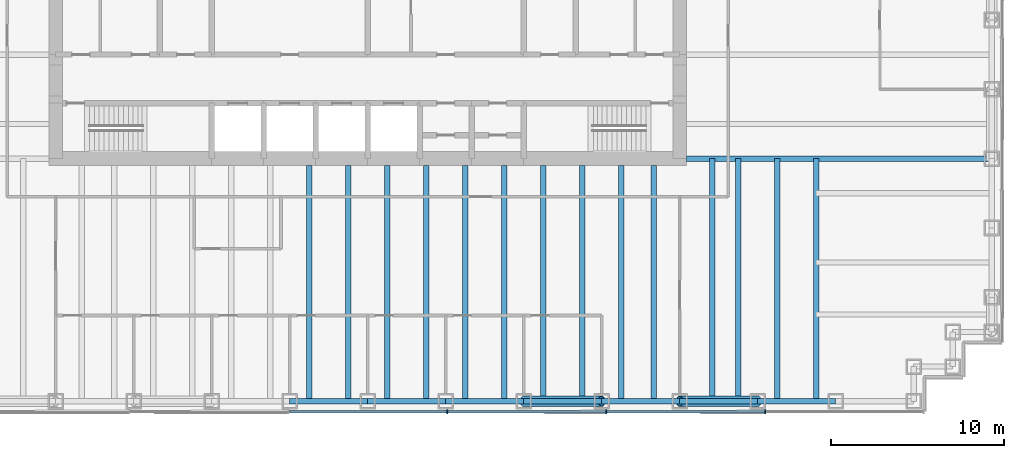
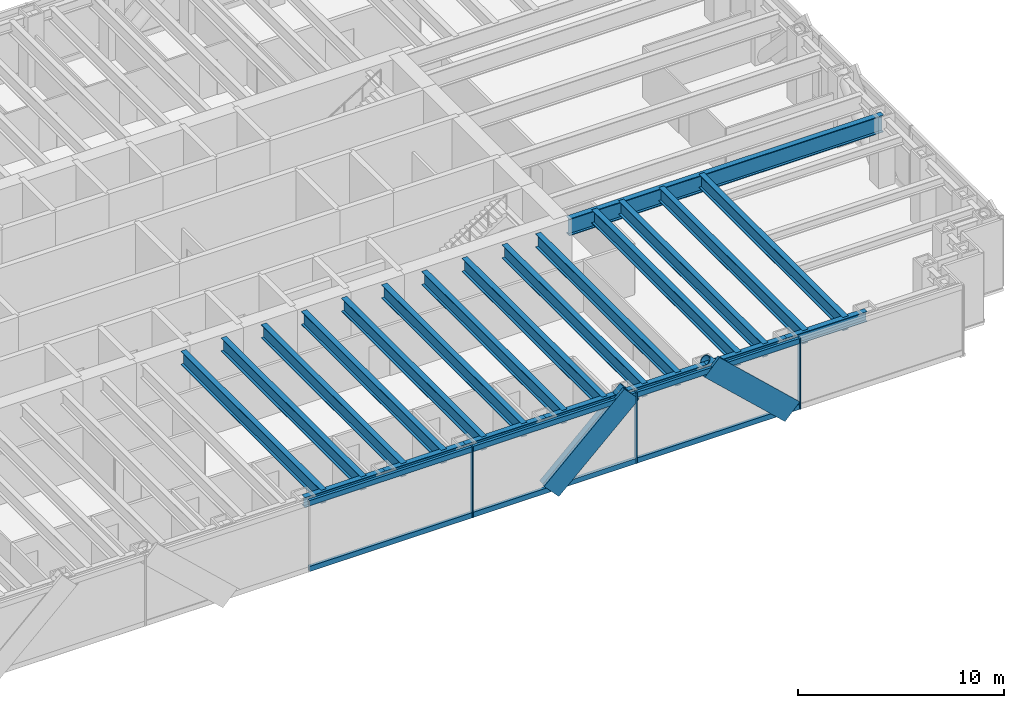
# One storey, part 3 of 14: 22 beams, 13 members, 1 element without a shape of its own.
"""IFC4 building model written with IfcOpenShell, lengths in metres."""

from ifc_helpers import new_model, si_unit, direction, frame, origin, origin_2d, place, context, subcontext, project, spatial, rectangle, hollow_circle, i_section, extrude, material, material_profile, profile_set, type_object, element, aggregate, save


model = new_model("IFC4")

# Units and contexts
model_context = context("Model", 3, precision=1e-05, world=origin(), true_north=direction((0.0, 1.0)))
body_context = subcontext(model_context, "Body", "Model", "MODEL_VIEW")
ifc_project = project(units=[si_unit("LENGTHUNIT", "METRE"), si_unit("AREAUNIT", "SQUARE_METRE"), si_unit("VOLUMEUNIT", "CUBIC_METRE"), si_unit("PLANEANGLEUNIT", "RADIAN"), si_unit("MASSUNIT", "GRAM", prefix="KILO")], contexts=[model_context])

# Site, building, storey
site_placement = place(None, origin())
site = spatial("IfcSite", under=ifc_project, at=site_placement, CompositionType="ELEMENT")
building_placement = place(site_placement, origin())
building = spatial("IfcBuilding", under=site, at=building_placement, Name="Rheinbord Bourse Tower", CompositionType="ELEMENT")
storey_placement = place(building_placement, frame((0.0, 0.0, 194.199951171875)))
storey = spatial("IfcBuildingStorey", under=building, at=storey_placement, Name="L43", CompositionType="ELEMENT", Elevation=194.199951171875)

# Curtain wall, members
ifc_material_1 = material(Name="Dark glass and black aluminium", Category="aluminium")
curtain_wall_type = type_object("IfcCurtainWallType", Name="CW2 DARK GLASS CURTAIN WALL", PredefinedType="USERDEFINED", material=ifc_material_1)
curtain_wall_placement = place(storey_placement, origin())
curtain_wall = element("IfcCurtainWall", 1, at=curtain_wall_placement, inside=storey, type_object=curtain_wall_type, Name="Curtain wall CW2 S L43", ObjectType="UNITISED CURTAIN WALL", PredefinedType="USERDEFINED")
ifc_material_2 = material(Name="Black anodised aluminium", Category="aluminium")
ifc_material_profile_1 = material_profile(ifc_material_2, rectangle(XDim=0.159912109375, YDim=1.2099609375, at=origin_2d()), Name="CW2 DIAGONAL MULLION 1210x160")
ifc_profile_set_1 = profile_set([ifc_material_profile_1], Name="Black anodised aluminium")
member_type_1 = type_object("IfcMemberType", Name="CW2 BLACK DIAGONAL MULLION", PredefinedType="USERDEFINED", material=ifc_profile_set_1)
member_1_placement = place(storey_placement, frame((58.5, 1.39990234375, 0.0), z_axis=(-0.73105922506, 0.0, 0.682314010889), x_axis=(0.0, -1.0, 0.0)))
member_1 = element("IfcMember", 2, at=member_1_placement, type_object=member_type_1, Name="CW2 diagonal mullion a", ObjectType="DIAGONAL MULLION", PredefinedType="USERDEFINED", context=body_context, shape_type="SweptSolid", body=[
    extrude(rectangle(XDim=0.159912109375, YDim=1.2099609375, at=origin_2d()), origin(), (0.0, 0.0, 1.0), 6.155517578125),
])
member_2_placement = place(storey_placement, frame((45.0, 1.39990234375, 0.0), z_axis=(0.73105922506, 0.0, 0.682314010889), x_axis=(0.0, 1.0, 0.0)))
member_2 = element("IfcMember", 3, at=member_2_placement, type_object=member_type_1, Name="CW2 diagonal mullion d", ObjectType="DIAGONAL MULLION", PredefinedType="USERDEFINED", context=body_context, shape_type="SweptSolid", body=[
    extrude(rectangle(XDim=0.159912109375, YDim=1.2099609375, at=origin_2d()), origin(), (0.0, 0.0, 1.0), 6.155517578125),
])
ifc_material_3 = material(Name="Black anodised aluminium", Category="aluminium")
ifc_material_profile_2 = material_profile(ifc_material_3, rectangle(XDim=0.219970703125, YDim=0.070068359375, at=origin_2d()), Name="CW2 MULLION 70x220")
ifc_profile_set_2 = profile_set([ifc_material_profile_2], Name="Black anodised aluminium")
member_type_2 = type_object("IfcMemberType", Name="CW2 BLACK MULLION", PredefinedType="MULLION", material=ifc_profile_set_2)
member_3_placement = place(storey_placement, frame((40.585693359375, 1.39990234375, 0.0), z_axis=(0.0, 0.0, 1.0), x_axis=(0.0, 1.0, 0.0)))
member_3 = element("IfcMember", 4, at=member_3_placement, type_object=member_type_2, Name="CW2 mullion 5", PredefinedType="MULLION", context=body_context, shape_type="SweptSolid", body=[
    extrude(rectangle(XDim=0.219970703125, YDim=0.070068359375, at=origin_2d()), origin(), (0.0, 0.0, 1.0), 4.199951171875),
])
member_4_placement = place(storey_placement, frame((49.757080078125, 1.39990234375, 0.0), z_axis=(0.0, 0.0, 1.0), x_axis=(0.0, 1.0, 0.0)))
member_4 = element("IfcMember", 5, at=member_4_placement, type_object=member_type_2, Name="CW2 mullion 6", PredefinedType="MULLION", context=body_context, shape_type="SweptSolid", body=[
    extrude(rectangle(XDim=0.219970703125, YDim=0.070068359375, at=origin_2d()), origin(), (0.0, 0.0, 1.0), 4.199951171875),
])
member_5_placement = place(storey_placement, frame((58.928466796875, 1.39990234375, 0.0), z_axis=(0.0, 0.0, 1.0), x_axis=(0.0, 1.0, 0.0)))
member_5 = element("IfcMember", 6, at=member_5_placement, type_object=member_type_2, Name="CW2 mullion 7", PredefinedType="MULLION", context=body_context, shape_type="SweptSolid", body=[
    extrude(rectangle(XDim=0.219970703125, YDim=0.070068359375, at=origin_2d()), origin(), (0.0, 0.0, 1.0), 4.199951171875),
])
ifc_material_4 = material(Name="Black anodised aluminium", Category="aluminium")
ifc_material_profile_3 = material_profile(ifc_material_4, rectangle(XDim=0.159912109375, YDim=0.300048828125, at=origin_2d()), Name="CW2 TRANSOM 300x160")
ifc_profile_set_3 = profile_set([ifc_material_profile_3], Name="Black anodised aluminium")
member_type_3 = type_object("IfcMemberType", Name="CW2 BLACK TRANSOM", PredefinedType="USERDEFINED", material=ifc_profile_set_3)
member_6_placement = place(storey_placement, frame((31.44921875, 1.39990234375, 0.150146484375), z_axis=(1.0, 0.0, 0.0), x_axis=(0.0, 1.0, 0.0)))
member_6 = element("IfcMember", 7, at=member_6_placement, type_object=member_type_3, Name="CW2 transom 4.1", ObjectType="TRANSOM", PredefinedType="USERDEFINED", context=body_context, shape_type="SweptSolid", body=[
    extrude(rectangle(XDim=0.159912109375, YDim=0.300048828125, at=origin_2d()), origin(), (0.0, 0.0, 1.0), 9.1015625),
])
member_7_placement = place(storey_placement, frame((31.44921875, 1.39990234375, 4.050048828125), z_axis=(1.0, 0.0, 0.0), x_axis=(0.0, 1.0, 0.0)))
member_7 = element("IfcMember", 8, at=member_7_placement, type_object=member_type_3, Name="CW2 transom 4.2", ObjectType="TRANSOM", PredefinedType="USERDEFINED", context=body_context, shape_type="SweptSolid", body=[
    extrude(rectangle(XDim=0.159912109375, YDim=0.300048828125, at=origin_2d()), origin(), (0.0, 0.0, 1.0), 9.1015625),
])
member_8_placement = place(storey_placement, frame((40.62060546875, 1.39990234375, 0.150146484375), z_axis=(1.0, 0.0, 0.0), x_axis=(0.0, 1.0, 0.0)))
member_8 = element("IfcMember", 9, at=member_8_placement, type_object=member_type_3, Name="CW2 transom 5.1", ObjectType="TRANSOM", PredefinedType="USERDEFINED", context=body_context, shape_type="SweptSolid", body=[
    extrude(rectangle(XDim=0.159912109375, YDim=0.300048828125, at=origin_2d()), origin(), (0.0, 0.0, 1.0), 9.1015625),
])
member_9_placement = place(storey_placement, frame((40.62060546875, 1.39990234375, 4.050048828125), z_axis=(1.0, 0.0, 0.0), x_axis=(0.0, 1.0, 0.0)))
member_9 = element("IfcMember", 10, at=member_9_placement, type_object=member_type_3, Name="CW2 transom 5.2", ObjectType="TRANSOM", PredefinedType="USERDEFINED", context=body_context, shape_type="SweptSolid", body=[
    extrude(rectangle(XDim=0.159912109375, YDim=0.300048828125, at=origin_2d()), origin(), (0.0, 0.0, 1.0), 9.1015625),
])
member_10_placement = place(storey_placement, frame((49.792236328125, 1.39990234375, 0.150146484375), z_axis=(1.0, 0.0, 0.0), x_axis=(0.0, 1.0, 0.0)))
member_10 = element("IfcMember", 11, at=member_10_placement, type_object=member_type_3, Name="CW2 transom 6.1", ObjectType="TRANSOM", PredefinedType="USERDEFINED", context=body_context, shape_type="SweptSolid", body=[
    extrude(rectangle(XDim=0.159912109375, YDim=0.300048828125, at=origin_2d()), origin(), (0.0, 0.0, 1.0), 9.101318359375),
])
member_11_placement = place(storey_placement, frame((49.792236328125, 1.39990234375, 4.050048828125), z_axis=(1.0, 0.0, 0.0), x_axis=(0.0, 1.0, 0.0)))
member_11 = element("IfcMember", 12, at=member_11_placement, type_object=member_type_3, Name="CW2 transom 6.2", ObjectType="TRANSOM", PredefinedType="USERDEFINED", context=body_context, shape_type="SweptSolid", body=[
    extrude(rectangle(XDim=0.159912109375, YDim=0.300048828125, at=origin_2d()), origin(), (0.0, 0.0, 1.0), 9.101318359375),
])
aggregate(curtain_wall, [member_3, member_4, member_5, member_6, member_7, member_8, member_9, member_10, member_11, member_1, member_2])

# Beams
ifc_material_5 = material(Name="Steel S460", Category="steel")
ifc_material_profile_4 = material_profile(ifc_material_5, i_section(OverallWidth=0.300048828125, OverallDepth=0.800048828125, WebThickness=0.017578125, FlangeThickness=0.032958984375, at=origin_2d()), Name="HEB 800")
ifc_profile_set_4 = profile_set([ifc_material_profile_4], Name="Steel S460")
beam_type_1 = type_object("IfcBeamType", Name="FLOOR BEAM HEB 800", PredefinedType="BEAM", material=ifc_profile_set_4)
for number, where, z_axis, x_axis, name in (
    (13, (32.625, 2.0, 3.64013671875), (0.0, 1.0, 0.0), (-1.0, 0.0, 0.0), "Floor beam S-31.5a L44"),
    (14, (34.875, 2.0, 3.64013671875), (0.0, 1.0, 0.0), (-1.0, 0.0, 0.0), "Floor beam S-31.5b L44"),
    (15, (37.125, 2.0, 3.64013671875), (0.0, 1.0, 0.0), (-1.0, 0.0, 0.0), "Floor beam S-36a L44"),
    (16, (39.375, 2.0, 3.64013671875), (0.0, 1.0, 0.0), (-1.0, 0.0, 0.0), "Floor beam S-36b L44"),
    (17, (41.625, 2.0, 3.64013671875), (0.0, 1.0, 0.0), (-1.0, 0.0, 0.0), "Floor beam S-40.5a L44"),
    (18, (43.875, 2.0, 3.64013671875), (0.0, 1.0, 0.0), (-1.0, 0.0, 0.0), "Floor beam S-40.5b L44"),
    (19, (46.125, 2.0, 3.64013671875), (0.0, 1.0, 0.0), (-1.0, 0.0, 0.0), "Floor beam S-45a L44"),
    (20, (48.375, 2.0, 3.64013671875), (0.0, 1.0, 0.0), (-1.0, 0.0, 0.0), "Floor beam S-45b L44"),
    (21, (50.625, 2.0, 3.64013671875), (0.0, 1.0, 0.0), (-1.0, 0.0, 0.0), "Floor beam S-49.5a L44"),
    (22, (52.5, 2.0, 3.64013671875), (0.0, 1.0, 0.0), (-1.0, 0.0, 0.0), "Floor beam S-49.5b L44"),
):
    element("IfcBeam", number, at=place(storey_placement, frame(where, z_axis=z_axis, x_axis=x_axis)), inside=storey, type_object=beam_type_1, Name=name, PredefinedType="BEAM", context=body_context, shape_type="SweptSolid", body=[
        extrude(i_section(OverallWidth=0.300048828125, OverallDepth=0.800048828125, WebThickness=0.017578125, FlangeThickness=0.032958984375, at=origin_2d()), origin(), (0.0, 0.0, 1.0), 13.60009765625),
    ])
for number, where, z_axis, x_axis, name in (
    (23, (55.875, 2.0, 3.64013671875), (0.0, 1.0, 0.0), (-1.0, 0.0, 0.0), "Floor beam S-54a L44"),
    (24, (57.375, 2.0, 3.64013671875), (0.0, 1.0, 0.0), (-1.0, 0.0, 0.0), "Floor beam S-54b L44"),
    (25, (59.625, 2.0, 3.64013671875), (0.0, 1.0, 0.0), (-1.0, 0.0, 0.0), "Floor beam S-58.5a L44"),
    (26, (61.875, 2.0, 3.64013671875), (0.0, 1.0, 0.0), (-1.0, 0.0, 0.0), "Floor beam S-58.5b L44"),
):
    element("IfcBeam", number, at=place(storey_placement, frame(where, z_axis=z_axis, x_axis=x_axis)), inside=storey, type_object=beam_type_1, Name=name, PredefinedType="BEAM", context=body_context, shape_type="SweptSolid", body=[
        extrude(i_section(OverallWidth=0.300048828125, OverallDepth=0.800048828125, WebThickness=0.017578125, FlangeThickness=0.032958984375, at=origin_2d()), origin(), (0.0, 0.0, 1.0), 14.0),
    ])
ifc_material_6 = material(Name="Steel S460", Category="steel")
ifc_material_profile_5 = material_profile(ifc_material_6, i_section(OverallWidth=0.302001953125, OverallDepth=1.008056640625, WebThickness=0.02099609375, FlangeThickness=0.0400390625, at=origin_2d()), Name="HEM 1000")
ifc_profile_set_5 = profile_set([ifc_material_profile_5], Name="Steel S460")
beam_type_2 = type_object("IfcBeamType", Name="GIRDER HEM 1000", PredefinedType="BEAM", material=ifc_profile_set_5)
beam_placement = place(storey_placement, frame((54.39990234375, 16.0, 3.5361328125), z_axis=(1.0, 0.0, 0.0), x_axis=(0.0, 1.0, 0.0)))
element("IfcBeam", 27, at=beam_placement, inside=storey, type_object=beam_type_2, Name="Girder east 16 L44", PredefinedType="BEAM", context=body_context, shape_type="SweptSolid", body=[
    extrude(i_section(OverallWidth=0.302001953125, OverallDepth=1.008056640625, WebThickness=0.02099609375, FlangeThickness=0.0400390625, at=origin_2d()), origin(), (0.0, 0.0, 1.0), 17.60009765625),
])

# Members
ifc_material_7 = material(Name="Steel S460", Category="steel")
ifc_material_profile_6 = material_profile(ifc_material_7, hollow_circle(Radius=0.304931640625, WallThickness=0.0400390625, at=origin_2d()), Name="CHS 610x40")
ifc_profile_set_6 = profile_set([ifc_material_profile_6], Name="Steel S460")
member_type_4 = type_object("IfcMemberType", Name="MEGABRACE CHS 610x40", PredefinedType="BRACE", material=ifc_profile_set_6)
for number, where, z_axis, x_axis, name in (
    (28, (58.5, 2.0, 0.0), (-0.73105922506, 0.0, 0.682314010889), (0.0, -1.0, 0.0), "Megabrace S face line a L43"),
    (29, (45.0, 2.0, 0.0), (0.73105922506, 0.0, 0.682314010889), (0.0, 1.0, 0.0), "Megabrace S face line d L43"),
):
    element("IfcMember", number, at=place(storey_placement, frame(where, z_axis=z_axis, x_axis=x_axis)), inside=storey, type_object=member_type_4, Name=name, PredefinedType="BRACE", context=body_context, shape_type="SweptSolid", body=[
        extrude(hollow_circle(Radius=0.304931640625, WallThickness=0.0400390625, at=origin_2d()), origin(), (0.0, 0.0, 1.0), 6.155517578125),
    ])

# Beams
ifc_material_8 = material(Name="Steel S460", Category="steel")
ifc_material_profile_7 = material_profile(ifc_material_8, i_section(OverallWidth=0.300048828125, OverallDepth=0.60009765625, WebThickness=0.015380859375, FlangeThickness=0.030029296875, at=origin_2d()), Name="HEB 600")
ifc_profile_set_7 = profile_set([ifc_material_profile_7], Name="Steel S460")
beam_type_3 = type_object("IfcBeamType", Name="SPANDREL HEB 600", PredefinedType="SPANDREL", material=ifc_profile_set_7)
for number, where, z_axis, x_axis, name in (
    (30, (31.5, 2.0, 3.739990234375), (1.0, 0.0, 0.0), (0.0, 1.0, 0.0), "Spandrel S-31.5-S-36 under L44"),
    (31, (36.0, 2.0, 3.739990234375), (1.0, 0.0, 0.0), (0.0, 1.0, 0.0), "Spandrel S-36-S-40.5 under L44"),
    (32, (40.5, 2.0, 3.739990234375), (1.0, 0.0, 0.0), (0.0, 1.0, 0.0), "Spandrel S-40.5-S-45 under L44"),
    (33, (45.0, 2.0, 3.739990234375), (1.0, 0.0, 0.0), (0.0, 1.0, 0.0), "Spandrel S-45-S-49.5 under L44"),
    (34, (49.5, 2.0, 3.739990234375), (1.0, 0.0, 0.0), (0.0, 1.0, 0.0), "Spandrel S-49.5-S-54 under L44"),
    (35, (54.0, 2.0, 3.739990234375), (1.0, 0.0, 0.0), (0.0, 1.0, 0.0), "Spandrel S-54-S-58.5 under L44"),
    (36, (58.5, 2.0, 3.739990234375), (1.0, 0.0, 0.0), (0.0, 1.0, 0.0), "Spandrel S-58.5-S-63 under L44"),
):
    element("IfcBeam", number, at=place(storey_placement, frame(where, z_axis=z_axis, x_axis=x_axis)), inside=storey, type_object=beam_type_3, Name=name, PredefinedType="SPANDREL", context=body_context, shape_type="SweptSolid", body=[
        extrude(i_section(OverallWidth=0.300048828125, OverallDepth=0.60009765625, WebThickness=0.015380859375, FlangeThickness=0.030029296875, at=origin_2d()), origin(), (0.0, 0.0, 1.0), 4.5),
    ])

save(model, "model.ifc")
